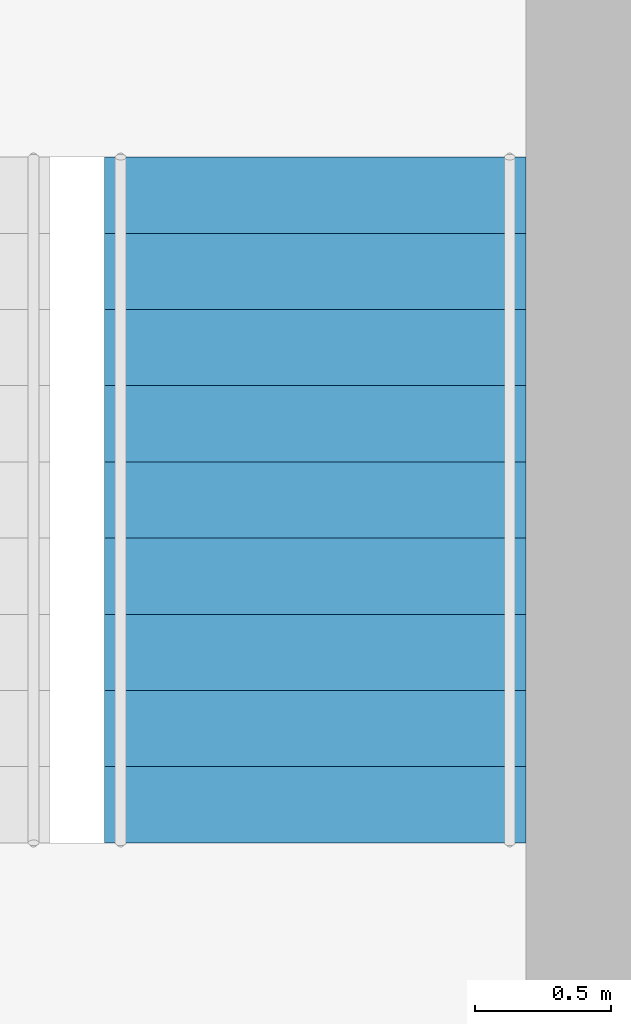
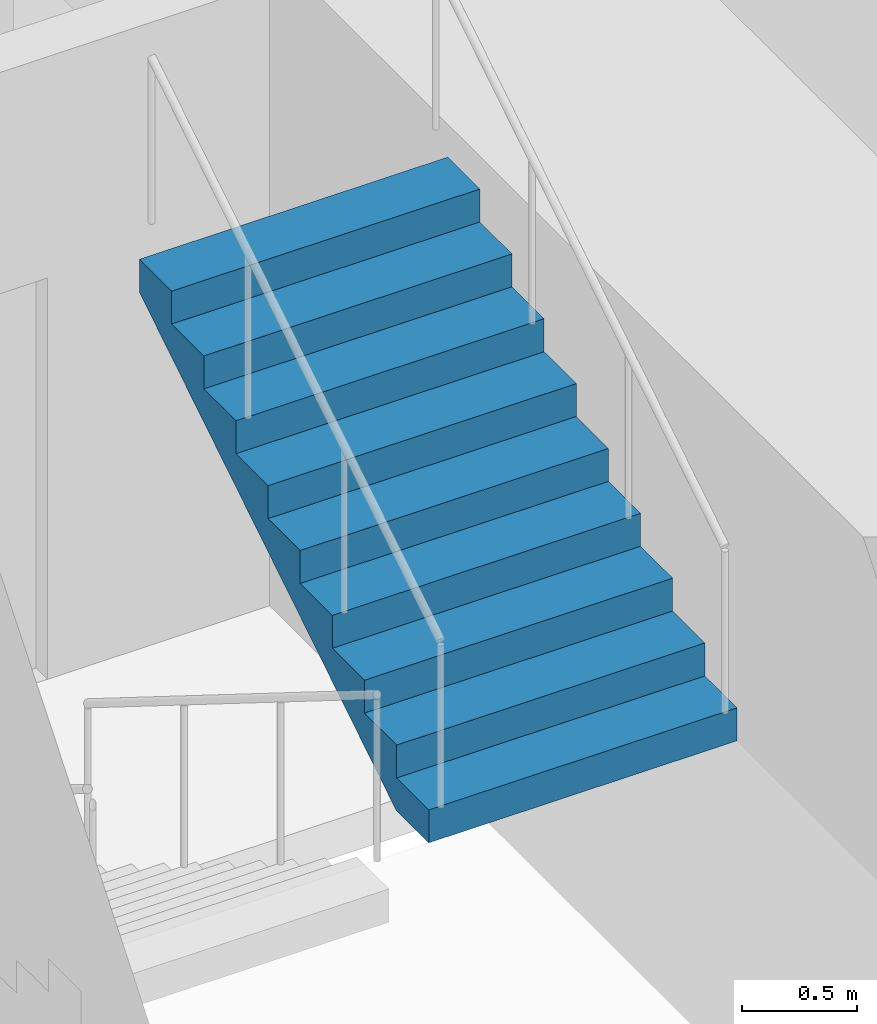
# One storey, part 10 of 11: 1 stair flight, 1 element without a shape of its own.
"""IFC4 building model written with IfcOpenShell, lengths in metres."""

import ifcopenshell
import ifcopenshell.guid

model = None  # the IFC model being written
_history = None  # IfcOwnerHistory: only IFC2X3 demands one
_inside = {}  # id of a spatial element -> (the spatial element, [elements in it])
_under = {}  # id of a project, library or spatial element -> (it, [spatial elements below it])
_declared = {}  # id of a project -> (the project, [libraries it declares])
_typed = {}  # id of a type object -> (the type object, [elements of that type])
_made_of = {}  # id of a material, layer set ... -> (it, [elements and type objects made of it])


def new_model(schema):
    """Start an empty IFC model of exactly this schema.

    Asked for "IFC4X3", IfcOpenShell would pick the latest addendum, in which some entities
    have other attributes; the version numbers below select the first issue.
    IFC2X3 requires an IfcOwnerHistory on every rooted entity: one is made here for all.
    """
    global model, _history
    if schema == "IFC4X3":
        model = ifcopenshell.file(schema_version=(4, 3, 0, 0))
    else:
        model = ifcopenshell.file(schema=schema)
    _inside.clear()
    _under.clear()
    _declared.clear()
    _typed.clear()
    _made_of.clear()
    _history = None
    if model.schema == "IFC2X3":
        org = make("IfcOrganization", Name="unknown")
        user = make(
            "IfcPersonAndOrganization",
            ThePerson=make("IfcPerson", FamilyName="unknown"),
            TheOrganization=org,
        )
        app = make(
            "IfcApplication",
            ApplicationDeveloper=org,
            Version="unknown",
            ApplicationFullName="unknown",
            ApplicationIdentifier="unknown",
        )
        _history = make(
            "IfcOwnerHistory",
            OwningUser=user,
            OwningApplication=app,
            ChangeAction="ADDED",
            CreationDate=0,
        )
    return model


def make(cls, **values):
    """One entity of the class cls with the attributes given. An attribute that is None is left unset."""
    return model.create_entity(
        cls, **{name: value for name, value in values.items() if value is not None}
    )


def rooted(cls, **values):
    """An entity with a GlobalId (a new one), such as an element, a storey or a relation."""
    return make(cls, GlobalId=ifcopenshell.guid.new(), OwnerHistory=_history, **values)


def si_unit(unit_type, name, prefix=None):
    """IfcSIUnit, for example si_unit("LENGTHUNIT", "METRE", prefix="MILLI")."""
    return make("IfcSIUnit", UnitType=unit_type, Prefix=prefix, Name=name)


def assignment(units):
    """IfcUnitAssignment: the units of a project."""
    return None if units is None else make("IfcUnitAssignment", Units=units)


def point(xyz):
    """IfcCartesianPoint."""
    return None if xyz is None else make("IfcCartesianPoint", Coordinates=xyz)


def direction(xyz):
    """IfcDirection."""
    return None if xyz is None else make("IfcDirection", DirectionRatios=xyz)


def frame(location, z_axis=None, x_axis=None):
    """IfcAxis2Placement3D, a coordinate frame: its origin and axes. An axis left out is left unset."""
    return make(
        "IfcAxis2Placement3D",
        Location=point(location),
        Axis=direction(z_axis),
        RefDirection=direction(x_axis),
    )


def origin():
    """The frame at (0, 0, 0) with its axes left unset."""
    return frame((0.0, 0.0, 0.0))


def place(relative_to, where):
    """IfcLocalPlacement: puts the frame where relative to a parent placement (None: the world)."""
    return make(
        "IfcLocalPlacement", PlacementRelTo=relative_to, RelativePlacement=where
    )


def context(
    kind, dimensions, precision=None, world=None, true_north=None, identifier=None
):
    """IfcGeometricRepresentationContext, for example the 3D "Model" context."""
    return make(
        "IfcGeometricRepresentationContext",
        ContextIdentifier=identifier,
        ContextType=kind,
        CoordinateSpaceDimension=dimensions,
        Precision=precision,
        WorldCoordinateSystem=world,
        TrueNorth=true_north,
    )


def subcontext(parent, identifier, kind, view, scale=None):
    """IfcGeometricRepresentationSubContext, for example "Body" below "Model"."""
    return make(
        "IfcGeometricRepresentationSubContext",
        ContextIdentifier=identifier,
        ContextType=kind,
        ParentContext=parent,
        TargetScale=scale,
        TargetView=view,
    )


def project(units=None, contexts=None):
    """IfcProject with its units and contexts."""
    return rooted(
        "IfcProject",
        Name="project",
        RepresentationContexts=contexts,
        UnitsInContext=assignment(units),
    )


def spatial(cls, under=None, at=None, **own):
    """A site, building, storey or space (cls), placed at a placement, below another one or the project."""
    s = rooted(cls, ObjectPlacement=at, **own)
    if under is not None:
        _under.setdefault(under.id(), (under, []))[1].append(s)
    return s


def polyline(points):
    """IfcPolyline through the points."""
    return make("IfcPolyline", Points=[point(p) for p in points])


def outline(outer, holes=None, kind="AREA"):
    """IfcArbitraryClosedProfileDef: a profile drawn as a closed curve; with holes, ...WithVoids."""
    if holes is None:
        return make("IfcArbitraryClosedProfileDef", ProfileType=kind, OuterCurve=outer)
    return make(
        "IfcArbitraryProfileDefWithVoids",
        ProfileType=kind,
        OuterCurve=outer,
        InnerCurves=holes,
    )


def extrude(swept, where, along, depth):
    """IfcExtrudedAreaSolid: the profile swept, set in the frame where, extruded along a direction by depth."""
    return make(
        "IfcExtrudedAreaSolid",
        SweptArea=swept,
        Position=where,
        ExtrudedDirection=direction(along),
        Depth=depth,
    )


def shape(context_of_items, identifier, shape_type, items):
    """IfcShapeRepresentation: the items that make up one representation, for example the "Body"."""
    return make(
        "IfcShapeRepresentation",
        ContextOfItems=context_of_items,
        RepresentationIdentifier=identifier,
        RepresentationType=shape_type,
        Items=items,
    )


def material(Name=None, Category=None):
    """IfcMaterial."""
    return make("IfcMaterial", Name=Name, Category=Category)


def made_of(thing, what):
    """Note that an element or type object is made of a material, layer set ...; save() writes the relation."""
    if what is not None:
        _made_of.setdefault(what.id(), (what, []))[1].append(thing)
    return thing


def type_object(cls, material=None, **own):
    """A type object (cls), such as IfcWallType, which elements share."""
    return made_of(rooted(cls, **own), material)


def element(
    cls,
    number,
    at=None,
    inside=None,
    cuts=None,
    type_object=None,
    material=None,
    context=None,
    identifier="Body",
    shape_type=None,
    held_by="IfcProductDefinitionShape",
    body=None,
    shapes=None,
    **own,
):
    """One element of the class cls, such as IfcWall. Its Tag is "e" and its number.

    at: its placement. inside: the storey or other place that contains it. cuts: it is an
    opening in that element (IfcRelVoidsElement). A single representation is given by context,
    identifier, shape_type and body (its items); several are given by shapes. held_by: the class
    of the entity that holds the representations. save() writes the other relations.
    """
    e = rooted(cls, Tag="e%d" % number, ObjectPlacement=at, **own)
    if body is not None:
        shapes = [shape(context, identifier, shape_type, body)]
    if shapes is not None:
        e.Representation = make(held_by, Representations=shapes)
    if inside is not None:
        _inside.setdefault(inside.id(), (inside, []))[1].append(e)
    if cuts is not None:
        rooted(
            "IfcRelVoidsElement", RelatingBuildingElement=cuts, RelatedOpeningElement=e
        )
    if type_object is not None:
        _typed.setdefault(type_object.id(), (type_object, []))[1].append(e)
    return made_of(e, material)


def aggregate(whole, parts):
    """IfcRelAggregates: a whole, such as a stair, and the parts it consists of."""
    return rooted("IfcRelAggregates", RelatingObject=whole, RelatedObjects=parts)


def save(model, path):
    """Write the relations noted so far, then the file.

    IfcRelAggregates (storeys below a building ...), IfcRelContainedInSpatialStructure (elements
    in a storey), IfcRelDefinesByType, IfcRelAssociatesMaterial and IfcRelDeclares: one each for
    every whole, place, type object, material and project.
    """
    for whole, parts in _under.values():
        aggregate(whole, parts)
    for where, things in _inside.values():
        rooted(
            "IfcRelContainedInSpatialStructure",
            RelatedElements=things,
            RelatingStructure=where,
        )
    for kind, things in _typed.values():
        rooted("IfcRelDefinesByType", RelatedObjects=things, RelatingType=kind)
    for what, things in _made_of.values():
        rooted("IfcRelAssociatesMaterial", RelatedObjects=things, RelatingMaterial=what)
    for by, libraries in _declared.values():
        rooted("IfcRelDeclares", RelatingContext=by, RelatedDefinitions=libraries)
    model.write(path)


model = new_model("IFC4")

# Units and contexts
model_context = context("Model", 3, precision=1e-05, world=origin(), true_north=direction((0.0, 1.0)))
body_context = subcontext(model_context, "Body", "Model", "MODEL_VIEW")
ifc_project = project(units=[si_unit("LENGTHUNIT", "METRE"), si_unit("AREAUNIT", "SQUARE_METRE"), si_unit("VOLUMEUNIT", "CUBIC_METRE"), si_unit("PLANEANGLEUNIT", "RADIAN"), si_unit("MASSUNIT", "GRAM", prefix="KILO")], contexts=[model_context])

# Site, building, storey
site_placement = place(None, origin())
site = spatial("IfcSite", under=ifc_project, at=site_placement, CompositionType="ELEMENT")
building_placement = place(site_placement, origin())
building = spatial("IfcBuilding", under=site, at=building_placement, Name="Trevanion Tower", CompositionType="ELEMENT")
storey_placement = place(building_placement, frame((0.0, 0.0, 253.699951171875)))
storey = spatial("IfcBuildingStorey", under=building, at=storey_placement, Name="L62", CompositionType="ELEMENT", Elevation=253.699951171875)

# Stair, stair flight
ifc_material_1 = material(Name="Concrete 5,000 psi on steel stringers", Category="concrete")
stair_type = type_object("IfcStairType", Name="ST stair", PredefinedType="HALF_TURN_STAIR", material=ifc_material_1)
stair_placement = place(storey_placement, origin())
stair = element("IfcStair", 1, at=stair_placement, inside=storey, type_object=stair_type, Name="ST1 L62", PredefinedType="HALF_TURN_STAIR")
ifc_material_2 = material(Name="Concrete 5,000 psi in steel pan", Category="concrete")
stair_flight_type = type_object("IfcStairFlightType", Name="STF stair flight", PredefinedType="STRAIGHT", material=ifc_material_2)
stair_flight_placement = place(storey_placement, frame((9.47509765625, -0.9951171875, 1.75), z_axis=(0.0, 0.0, 1.0), x_axis=(0.0, 1.0, 0.0)))
stair_flight = element("IfcStairFlight", 2, at=stair_flight_placement, type_object=stair_flight_type, Name="ST1 flight 2", NumberOfRisers=10, NumberOfTreads=9, PredefinedType="STRAIGHT", RiserHeight=0.175, TreadLength=0.28, context=body_context, shape_type="SweptSolid", body=[
    extrude(outline(polyline([(0.0, 0.0), (0.0, 0.175048828125), (0.280029296875, 0.175048828125), (0.280029296875, 0.35009765625), (0.56005859375, 0.35009765625), (0.56005859375, 0.52490234375), (0.840087890625, 0.52490234375), (0.840087890625, 0.699951171875), (1.1201171875, 0.699951171875), (1.1201171875, 0.875), (1.39990234375, 0.875), (1.39990234375, 1.050048828125), (1.679931640625, 1.050048828125), (1.679931640625, 1.22509765625), (1.9599609375, 1.22509765625), (1.9599609375, 1.39990234375), (2.239990234375, 1.39990234375), (2.239990234375, 1.574951171875), (2.52001953125, 1.574951171875), (2.52001953125, 1.75), (2.52001953125, 1.398193359375), (0.28271484375, 0.0), (0.0, 0.0)])), frame((0.0, 0.77490234375, 0.0), z_axis=(0.0, -1.0, 0.0), x_axis=(1.0, 0.0, 0.0)), (0.0, 0.0, 1.0), 1.550048828125),
])
aggregate(stair, [stair_flight])

save(model, "model.ifc")
